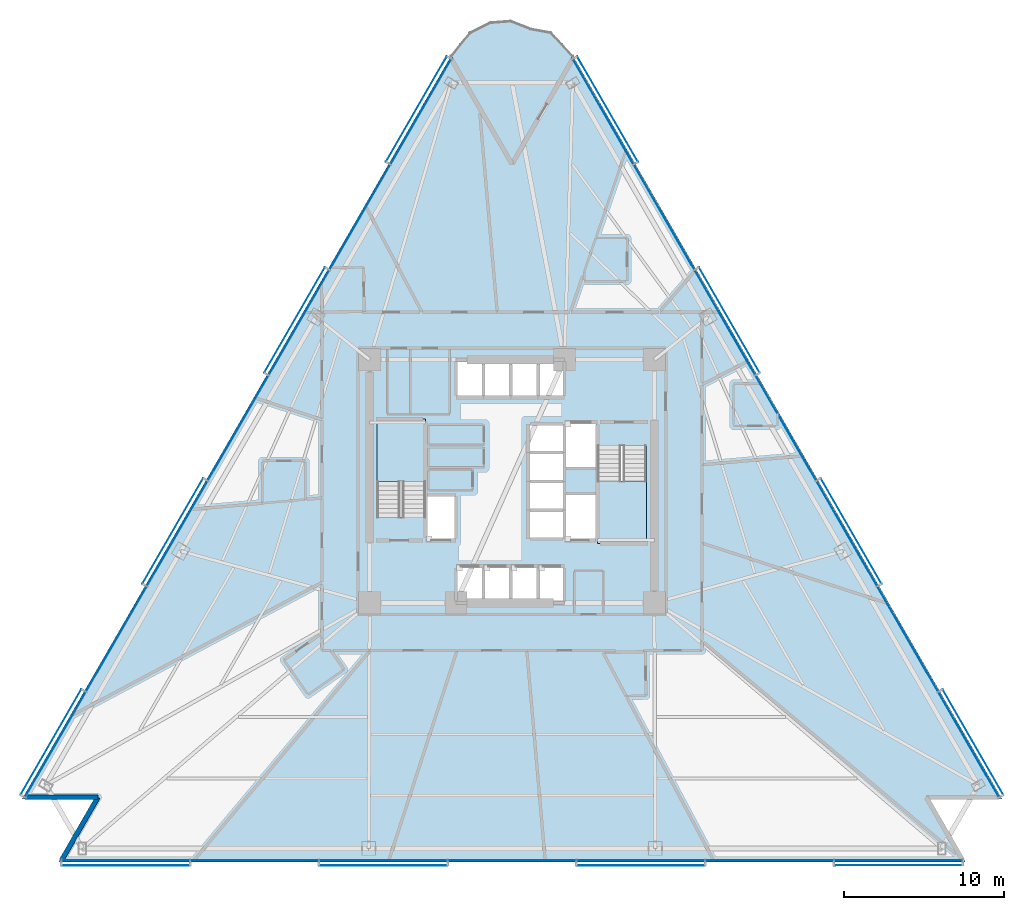
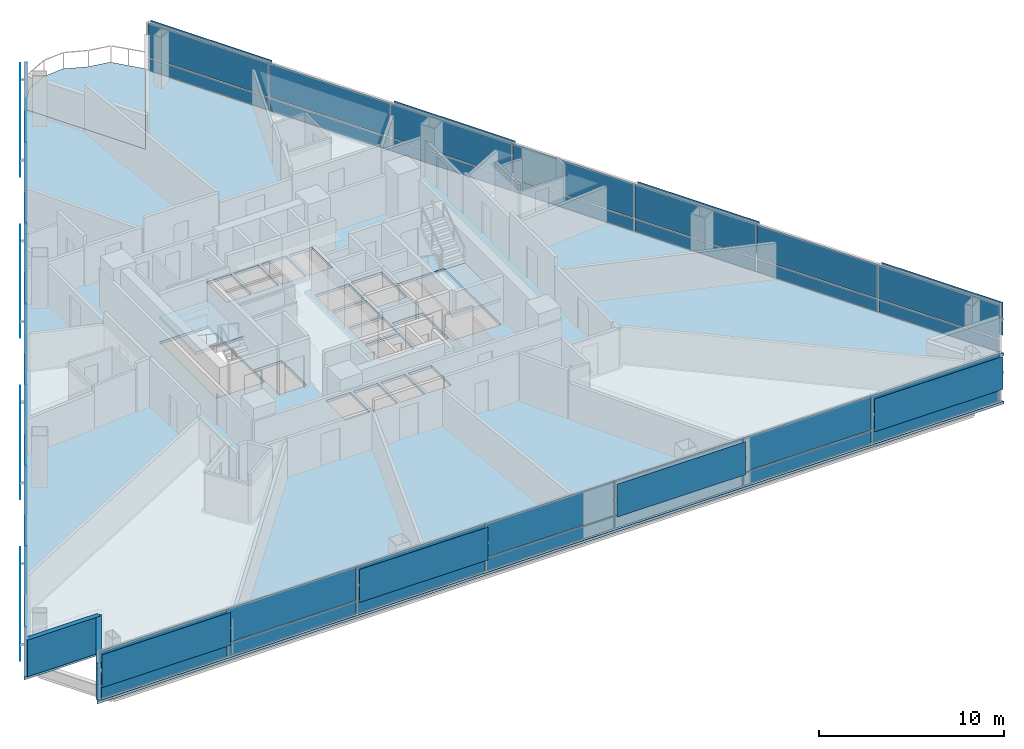
# One storey, part 6 of 18: 54 plates, 4 slabs, 2 walls, 5 elements without a shape of their own.
"""IFC4 building model written with IfcOpenShell, lengths in metres."""

from ifc_helpers import new_model, si_unit, direction, frame, frame_2d, origin, origin_2d, place, context, subcontext, project, spatial, polyline, rectangle, outline, extrude, material, layer, layer_set, type_object, element, aggregate, save


model = new_model("IFC4")

# Units and contexts
model_context = context("Model", 3, precision=1e-05, world=origin(), true_north=direction((0.0, 1.0)))
body_context = subcontext(model_context, "Body", "Model", "MODEL_VIEW")
ifc_project = project(units=[si_unit("LENGTHUNIT", "METRE"), si_unit("AREAUNIT", "SQUARE_METRE"), si_unit("VOLUMEUNIT", "CUBIC_METRE"), si_unit("PLANEANGLEUNIT", "RADIAN"), si_unit("MASSUNIT", "GRAM", prefix="KILO")], contexts=[model_context])

# Site, building, storey
site_placement = place(None, origin())
site = spatial("IfcSite", under=ifc_project, at=site_placement, CompositionType="ELEMENT")
building_placement = place(site_placement, origin())
building = spatial("IfcBuilding", under=site, at=building_placement, Name="Tharavind Bronze Gate", CompositionType="ELEMENT")
storey_placement = place(building_placement, frame((0.0, 0.0, 38.64990234375)))
storey = spatial("IfcBuildingStorey", under=building, at=storey_placement, Name="L08", CompositionType="ELEMENT", Elevation=38.64990234375)

# Plates
ifc_material_1 = material(Name="Perforated Bronze Alloy", Category="bronze")
ifc_layer_1 = layer(ifc_material_1, 0.011962890625)
ifc_layer_set_1 = layer_set([ifc_layer_1], Name="Perforated Bronze Alloy")
plate_type_1 = type_object("IfcPlateType", Name="BRONZE PERFORATED SOLAR SCREEN", PredefinedType="USERDEFINED", material=ifc_layer_set_1)
for number, where, z_axis, x_axis, name in (
    (1, (-5.976806640625, 23.27783203125, 0.97412109375), (0.0, 0.0, 1.0), (-0.500001511499, -0.866024531118, 0.0), "CW-L08-S1 perforated bronze solar screen 1"),
    (2, (-13.5927734375, 10.086669921875, 0.97412109375), (0.0, 0.0, 1.0), (-0.500001511499, -0.866024531118, 0.0), "CW-L08-S1 perforated bronze solar screen 3"),
    (3, (-21.208740234375, -3.1044921875, 0.97412109375), (0.0, 0.0, 1.0), (-0.500001511499, -0.866024531118, 0.0), "CW-L08-S1 perforated bronze solar screen 5"),
    (4, (-28.82470703125, -16.295654296875, 0.97412109375), (0.0, 0.0, 1.0), (-0.500001511499, -0.866024531118, 0.0), "CW-L08-S1 perforated bronze solar screen 7"),
):
    element("IfcPlate", number, at=place(storey_placement, frame(where, z_axis=z_axis, x_axis=x_axis)), inside=storey, type_object=plate_type_1, Name=name, ObjectType="SCREEN", PredefinedType="USERDEFINED", context=body_context, shape_type="SweptSolid", body=[
        extrude(rectangle(XDim=7.595947265625, YDim=0.011962890625, at=origin_2d()), origin(), (0.0, 0.0, 1.0), 2.177001953125),
    ])
for number, where, z_axis, x_axis, name in (
    (5, (-24.150634765625, -24.014892578125, 0.97412109375), (0.0, 0.0, 1.0), (1.0, 0.0, 0.0), "CW-L08-S2 perforated bronze solar screen 1"),
    (6, (-8.05029296875, -24.014892578125, 0.97412109375), (0.0, 0.0, 1.0), (1.0, 0.0, 0.0), "CW-L08-S2 perforated bronze solar screen 3"),
    (7, (8.05029296875, -24.014892578125, 0.97412109375), (0.0, 0.0, 1.0), (1.0, 0.0, 0.0), "CW-L08-S2 perforated bronze solar screen 5"),
    (8, (24.150634765625, -24.014892578125, 0.97412109375), (0.0, 0.0, 1.0), (1.0, 0.0, 0.0), "CW-L08-S2 perforated bronze solar screen 7"),
):
    element("IfcPlate", number, at=place(storey_placement, frame(where, z_axis=z_axis, x_axis=x_axis)), inside=storey, type_object=plate_type_1, Name=name, ObjectType="SCREEN", PredefinedType="USERDEFINED", context=body_context, shape_type="SweptSolid", body=[
        extrude(rectangle(XDim=8.0302734375, YDim=0.011962890625, at=origin_2d()), origin(), (0.0, 0.0, 1.0), 2.177001953125),
    ])
for number, where, z_axis, x_axis, name in (
    (9, (28.82470703125, -16.295654296875, 0.97412109375), (0.0, 0.0, 1.0), (-0.500001511499, 0.866024531118, 0.0), "CW-L08-S3 perforated bronze solar screen 1"),
    (10, (21.208740234375, -3.1044921875, 0.97412109375), (0.0, 0.0, 1.0), (-0.500001511499, 0.866024531118, 0.0), "CW-L08-S3 perforated bronze solar screen 3"),
    (11, (13.5927734375, 10.086669921875, 0.97412109375), (0.0, 0.0, 1.0), (-0.500001511499, 0.866024531118, 0.0), "CW-L08-S3 perforated bronze solar screen 5"),
    (12, (5.976806640625, 23.27783203125, 0.97412109375), (0.0, 0.0, 1.0), (-0.500001511499, 0.866024531118, 0.0), "CW-L08-S3 perforated bronze solar screen 7"),
):
    element("IfcPlate", number, at=place(storey_placement, frame(where, z_axis=z_axis, x_axis=x_axis)), inside=storey, type_object=plate_type_1, Name=name, ObjectType="SCREEN", PredefinedType="USERDEFINED", context=body_context, shape_type="SweptSolid", body=[
        extrude(rectangle(XDim=7.595947265625, YDim=0.011962890625, at=origin_2d()), origin(), (0.0, 0.0, 1.0), 2.177001953125),
    ])

# Curtain wall, plates
ifc_material_2 = material(Name="Anodised Bronze Aluminium", Category="aluminium")
ifc_layer_2 = layer(ifc_material_2, 0.219970703125)
ifc_layer_set_2 = layer_set([ifc_layer_2], Name="Anodised Bronze Aluminium")
curtain_wall_type = type_object("IfcCurtainWallType", Name="UNITISED CURTAIN WALL HOTEL", PredefinedType="USERDEFINED", material=ifc_layer_set_2)
curtain_wall_1_placement = place(storey_placement, origin())
curtain_wall_1 = element("IfcCurtainWall", 13, at=curtain_wall_1_placement, inside=storey, type_object=curtain_wall_type, Name="L08 unitised curtain wall hotel CW-L08-S1", ObjectType="UNITISED CURTAIN WALL", PredefinedType="USERDEFINED")
ifc_material_3 = material(Name="Patinated Bronze Alloy Sheet", Category="bronze")
ifc_layer_3 = layer(ifc_material_3, 0.01611328125)
ifc_layer_set_3 = layer_set([ifc_layer_3], Name="Patinated Bronze Alloy Sheet")
plate_type_2 = type_object("IfcPlateType", Name="BRONZE SPANDREL CLADDING PANEL 16", PredefinedType="CURTAIN_PANEL", material=ifc_layer_set_3)
plate_1_placement = place(storey_placement, frame((-5.7041015625, 23.120361328125, 0.0341796875), z_axis=(0.0, 0.0, 1.0), x_axis=(-0.500001511499, -0.866024531118, 0.0)))
plate_1 = element("IfcPlate", 14, at=plate_1_placement, type_object=plate_type_2, Name="CW-L08-S1 bronze spandrel panel 1", PredefinedType="CURTAIN_PANEL", context=body_context, shape_type="SweptSolid", body=[
    extrude(rectangle(XDim=7.5478515625, YDim=0.01611328125, at=origin_2d()), origin(), (0.0, 0.0, 1.0), 0.83203125),
])
plate_2_placement = place(storey_placement, frame((-9.511962890625, 16.52490234375, 0.0341796875), z_axis=(0.0, 0.0, 1.0), x_axis=(-0.500001511499, -0.866024531118, 0.0)))
plate_2 = element("IfcPlate", 15, at=plate_2_placement, type_object=plate_type_2, Name="CW-L08-S1 bronze spandrel panel 2", PredefinedType="CURTAIN_PANEL", context=body_context, shape_type="SweptSolid", body=[
    extrude(rectangle(XDim=7.5478515625, YDim=0.01611328125, at=origin_2d()), origin(), (0.0, 0.0, 1.0), 0.83203125),
])
plate_3_placement = place(storey_placement, frame((-13.31982421875, 9.92919921875, 0.0341796875), z_axis=(0.0, 0.0, 1.0), x_axis=(-0.500001511499, -0.866024531118, 0.0)))
plate_3 = element("IfcPlate", 16, at=plate_3_placement, type_object=plate_type_2, Name="CW-L08-S1 bronze spandrel panel 3", PredefinedType="CURTAIN_PANEL", context=body_context, shape_type="SweptSolid", body=[
    extrude(rectangle(XDim=7.5478515625, YDim=0.01611328125, at=origin_2d()), origin(), (0.0, 0.0, 1.0), 0.83203125),
])
plate_4_placement = place(storey_placement, frame((-17.1279296875, 3.33349609375, 0.0341796875), z_axis=(0.0, 0.0, 1.0), x_axis=(-0.500001511499, -0.866024531118, 0.0)))
plate_4 = element("IfcPlate", 17, at=plate_4_placement, type_object=plate_type_2, Name="CW-L08-S1 bronze spandrel panel 4", PredefinedType="CURTAIN_PANEL", context=body_context, shape_type="SweptSolid", body=[
    extrude(rectangle(XDim=7.5478515625, YDim=0.01611328125, at=origin_2d()), origin(), (0.0, 0.0, 1.0), 0.83203125),
])
plate_5_placement = place(storey_placement, frame((-20.935791015625, -3.261962890625, 0.0341796875), z_axis=(0.0, 0.0, 1.0), x_axis=(-0.500001511499, -0.866024531118, 0.0)))
plate_5 = element("IfcPlate", 18, at=plate_5_placement, type_object=plate_type_2, Name="CW-L08-S1 bronze spandrel panel 5", PredefinedType="CURTAIN_PANEL", context=body_context, shape_type="SweptSolid", body=[
    extrude(rectangle(XDim=7.5478515625, YDim=0.01611328125, at=origin_2d()), origin(), (0.0, 0.0, 1.0), 0.83203125),
])
plate_6_placement = place(storey_placement, frame((-24.743896484375, -9.857421875, 0.0341796875), z_axis=(0.0, 0.0, 1.0), x_axis=(-0.500001511499, -0.866024531118, 0.0)))
plate_6 = element("IfcPlate", 19, at=plate_6_placement, type_object=plate_type_2, Name="CW-L08-S1 bronze spandrel panel 6", PredefinedType="CURTAIN_PANEL", context=body_context, shape_type="SweptSolid", body=[
    extrude(rectangle(XDim=7.5478515625, YDim=0.01611328125, at=origin_2d()), origin(), (0.0, 0.0, 1.0), 0.83203125),
])
plate_7_placement = place(storey_placement, frame((-28.5517578125, -16.453125, 0.0341796875), z_axis=(0.0, 0.0, 1.0), x_axis=(-0.500001511499, -0.866024531118, 0.0)))
plate_7 = element("IfcPlate", 20, at=plate_7_placement, type_object=plate_type_2, Name="CW-L08-S1 bronze spandrel panel 7", PredefinedType="CURTAIN_PANEL", context=body_context, shape_type="SweptSolid", body=[
    extrude(rectangle(XDim=7.5478515625, YDim=0.01611328125, at=origin_2d()), origin(), (0.0, 0.0, 1.0), 0.83203125),
])

curtain_wall_2_placement = place(storey_placement, origin())
curtain_wall_2 = element("IfcCurtainWall", 21, at=curtain_wall_2_placement, inside=storey, type_object=curtain_wall_type, Name="L08 unitised curtain wall hotel CW-L08-S2", ObjectType="UNITISED CURTAIN WALL", PredefinedType="USERDEFINED")
plate_8_placement = place(storey_placement, frame((-24.150634765625, -23.699951171875, 0.0341796875), z_axis=(0.0, 0.0, 1.0), x_axis=(1.0, 0.0, 0.0)))
plate_8 = element("IfcPlate", 22, at=plate_8_placement, type_object=plate_type_2, Name="CW-L08-S2 bronze spandrel panel 1", PredefinedType="CURTAIN_PANEL", context=body_context, shape_type="SweptSolid", body=[
    extrude(rectangle(XDim=7.982177734375, YDim=0.01611328125, at=origin_2d()), origin(), (0.0, 0.0, 1.0), 0.83203125),
])
plate_9_placement = place(storey_placement, frame((-16.1005859375, -23.699951171875, 0.0341796875), z_axis=(0.0, 0.0, 1.0), x_axis=(1.0, 0.0, 0.0)))
plate_9 = element("IfcPlate", 23, at=plate_9_placement, type_object=plate_type_2, Name="CW-L08-S2 bronze spandrel panel 2", PredefinedType="CURTAIN_PANEL", context=body_context, shape_type="SweptSolid", body=[
    extrude(rectangle(XDim=7.982177734375, YDim=0.01611328125, at=origin_2d()), origin(), (0.0, 0.0, 1.0), 0.83203125),
])
plate_10_placement = place(storey_placement, frame((-8.05029296875, -23.699951171875, 0.0341796875), z_axis=(0.0, 0.0, 1.0), x_axis=(1.0, 0.0, 0.0)))
plate_10 = element("IfcPlate", 24, at=plate_10_placement, type_object=plate_type_2, Name="CW-L08-S2 bronze spandrel panel 3", PredefinedType="CURTAIN_PANEL", context=body_context, shape_type="SweptSolid", body=[
    extrude(rectangle(XDim=7.982177734375, YDim=0.01611328125, at=origin_2d()), origin(), (0.0, 0.0, 1.0), 0.83203125),
])
plate_11_placement = place(storey_placement, frame((0.0, -23.699951171875, 0.0341796875), z_axis=(0.0, 0.0, 1.0), x_axis=(1.0, 0.0, 0.0)))
plate_11 = element("IfcPlate", 25, at=plate_11_placement, type_object=plate_type_2, Name="CW-L08-S2 bronze spandrel panel 4", PredefinedType="CURTAIN_PANEL", context=body_context, shape_type="SweptSolid", body=[
    extrude(rectangle(XDim=7.982177734375, YDim=0.01611328125, at=origin_2d()), origin(), (0.0, 0.0, 1.0), 0.83203125),
])
plate_12_placement = place(storey_placement, frame((8.05029296875, -23.699951171875, 0.0341796875), z_axis=(0.0, 0.0, 1.0), x_axis=(1.0, 0.0, 0.0)))
plate_12 = element("IfcPlate", 26, at=plate_12_placement, type_object=plate_type_2, Name="CW-L08-S2 bronze spandrel panel 5", PredefinedType="CURTAIN_PANEL", context=body_context, shape_type="SweptSolid", body=[
    extrude(rectangle(XDim=7.982177734375, YDim=0.01611328125, at=origin_2d()), origin(), (0.0, 0.0, 1.0), 0.83203125),
])
plate_13_placement = place(storey_placement, frame((16.1005859375, -23.699951171875, 0.0341796875), z_axis=(0.0, 0.0, 1.0), x_axis=(1.0, 0.0, 0.0)))
plate_13 = element("IfcPlate", 27, at=plate_13_placement, type_object=plate_type_2, Name="CW-L08-S2 bronze spandrel panel 6", PredefinedType="CURTAIN_PANEL", context=body_context, shape_type="SweptSolid", body=[
    extrude(rectangle(XDim=7.982177734375, YDim=0.01611328125, at=origin_2d()), origin(), (0.0, 0.0, 1.0), 0.83203125),
])
plate_14_placement = place(storey_placement, frame((24.150634765625, -23.699951171875, 0.0341796875), z_axis=(0.0, 0.0, 1.0), x_axis=(1.0, 0.0, 0.0)))
plate_14 = element("IfcPlate", 28, at=plate_14_placement, type_object=plate_type_2, Name="CW-L08-S2 bronze spandrel panel 7", PredefinedType="CURTAIN_PANEL", context=body_context, shape_type="SweptSolid", body=[
    extrude(rectangle(XDim=7.982177734375, YDim=0.01611328125, at=origin_2d()), origin(), (0.0, 0.0, 1.0), 0.83203125),
])

curtain_wall_3_placement = place(storey_placement, origin())
curtain_wall_3 = element("IfcCurtainWall", 29, at=curtain_wall_3_placement, inside=storey, type_object=curtain_wall_type, Name="L08 unitised curtain wall hotel CW-L08-S3", ObjectType="UNITISED CURTAIN WALL", PredefinedType="USERDEFINED")
plate_15_placement = place(storey_placement, frame((28.5517578125, -16.453125, 0.0341796875), z_axis=(0.0, 0.0, 1.0), x_axis=(-0.500001511499, 0.866024531118, 0.0)))
plate_15 = element("IfcPlate", 30, at=plate_15_placement, type_object=plate_type_2, Name="CW-L08-S3 bronze spandrel panel 1", PredefinedType="CURTAIN_PANEL", context=body_context, shape_type="SweptSolid", body=[
    extrude(rectangle(XDim=7.5478515625, YDim=0.01611328125, at=origin_2d()), origin(), (0.0, 0.0, 1.0), 0.83203125),
])
plate_16_placement = place(storey_placement, frame((24.743896484375, -9.857421875, 0.0341796875), z_axis=(0.0, 0.0, 1.0), x_axis=(-0.500001511499, 0.866024531118, 0.0)))
plate_16 = element("IfcPlate", 31, at=plate_16_placement, type_object=plate_type_2, Name="CW-L08-S3 bronze spandrel panel 2", PredefinedType="CURTAIN_PANEL", context=body_context, shape_type="SweptSolid", body=[
    extrude(rectangle(XDim=7.5478515625, YDim=0.01611328125, at=origin_2d()), origin(), (0.0, 0.0, 1.0), 0.83203125),
])
plate_17_placement = place(storey_placement, frame((20.935791015625, -3.261962890625, 0.0341796875), z_axis=(0.0, 0.0, 1.0), x_axis=(-0.500001511499, 0.866024531118, 0.0)))
plate_17 = element("IfcPlate", 32, at=plate_17_placement, type_object=plate_type_2, Name="CW-L08-S3 bronze spandrel panel 3", PredefinedType="CURTAIN_PANEL", context=body_context, shape_type="SweptSolid", body=[
    extrude(rectangle(XDim=7.5478515625, YDim=0.01611328125, at=origin_2d()), origin(), (0.0, 0.0, 1.0), 0.83203125),
])
plate_18_placement = place(storey_placement, frame((17.1279296875, 3.33349609375, 0.0341796875), z_axis=(0.0, 0.0, 1.0), x_axis=(-0.500001511499, 0.866024531118, 0.0)))
plate_18 = element("IfcPlate", 33, at=plate_18_placement, type_object=plate_type_2, Name="CW-L08-S3 bronze spandrel panel 4", PredefinedType="CURTAIN_PANEL", context=body_context, shape_type="SweptSolid", body=[
    extrude(rectangle(XDim=7.5478515625, YDim=0.01611328125, at=origin_2d()), origin(), (0.0, 0.0, 1.0), 0.83203125),
])
plate_19_placement = place(storey_placement, frame((13.31982421875, 9.92919921875, 0.0341796875), z_axis=(0.0, 0.0, 1.0), x_axis=(-0.500001511499, 0.866024531118, 0.0)))
plate_19 = element("IfcPlate", 34, at=plate_19_placement, type_object=plate_type_2, Name="CW-L08-S3 bronze spandrel panel 5", PredefinedType="CURTAIN_PANEL", context=body_context, shape_type="SweptSolid", body=[
    extrude(rectangle(XDim=7.5478515625, YDim=0.01611328125, at=origin_2d()), origin(), (0.0, 0.0, 1.0), 0.83203125),
])
plate_20_placement = place(storey_placement, frame((9.511962890625, 16.52490234375, 0.0341796875), z_axis=(0.0, 0.0, 1.0), x_axis=(-0.500001511499, 0.866024531118, 0.0)))
plate_20 = element("IfcPlate", 35, at=plate_20_placement, type_object=plate_type_2, Name="CW-L08-S3 bronze spandrel panel 6", PredefinedType="CURTAIN_PANEL", context=body_context, shape_type="SweptSolid", body=[
    extrude(rectangle(XDim=7.5478515625, YDim=0.01611328125, at=origin_2d()), origin(), (0.0, 0.0, 1.0), 0.83203125),
])
plate_21_placement = place(storey_placement, frame((5.7041015625, 23.120361328125, 0.0341796875), z_axis=(0.0, 0.0, 1.0), x_axis=(-0.500001511499, 0.866024531118, 0.0)))
plate_21 = element("IfcPlate", 36, at=plate_21_placement, type_object=plate_type_2, Name="CW-L08-S3 bronze spandrel panel 7", PredefinedType="CURTAIN_PANEL", context=body_context, shape_type="SweptSolid", body=[
    extrude(rectangle(XDim=7.5478515625, YDim=0.01611328125, at=origin_2d()), origin(), (0.0, 0.0, 1.0), 0.83203125),
])

# Plate
ifc_material_4 = material(Name="Low-E Double Glazing", Category="glass")
ifc_layer_4 = layer(ifc_material_4, 0.031982421875)
ifc_layer_set_4 = layer_set([ifc_layer_4], Name="Low-E Double Glazing")
plate_type_3 = type_object("IfcPlateType", Name="DOUBLE GLAZED FACADE PANEL 32", PredefinedType="CURTAIN_PANEL", material=ifc_layer_set_4)
plate_22_placement = place(storey_placement, frame((-5.7041015625, 23.120361328125, 0.93408203125), z_axis=(0.0, 0.0, 1.0), x_axis=(-0.500001511499, -0.866024531118, 0.0)))
plate_22 = element("IfcPlate", 37, at=plate_22_placement, type_object=plate_type_3, Name="CW-L08-S1 vision glazing panel 1", PredefinedType="CURTAIN_PANEL", context=body_context, shape_type="SweptSolid", body=[
    extrude(rectangle(XDim=7.5478515625, YDim=0.031982421875, at=origin_2d()), origin(), (0.0, 0.0, 1.0), 2.257080078125),
])

plate_23_placement = place(storey_placement, frame((-9.511962890625, 16.52490234375, 0.93408203125), z_axis=(0.0, 0.0, 1.0), x_axis=(-0.500001511499, -0.866024531118, 0.0)))
plate_23 = element("IfcPlate", 38, at=plate_23_placement, type_object=plate_type_3, Name="CW-L08-S1 vision glazing panel 2", PredefinedType="CURTAIN_PANEL", context=body_context, shape_type="SweptSolid", body=[
    extrude(rectangle(XDim=7.5478515625, YDim=0.031982421875, at=origin_2d()), origin(), (0.0, 0.0, 1.0), 2.257080078125),
])

plate_24_placement = place(storey_placement, frame((-13.31982421875, 9.92919921875, 0.93408203125), z_axis=(0.0, 0.0, 1.0), x_axis=(-0.500001511499, -0.866024531118, 0.0)))
plate_24 = element("IfcPlate", 39, at=plate_24_placement, type_object=plate_type_3, Name="CW-L08-S1 vision glazing panel 3", PredefinedType="CURTAIN_PANEL", context=body_context, shape_type="SweptSolid", body=[
    extrude(rectangle(XDim=7.5478515625, YDim=0.031982421875, at=origin_2d()), origin(), (0.0, 0.0, 1.0), 2.257080078125),
])

plate_25_placement = place(storey_placement, frame((-17.1279296875, 3.33349609375, 0.93408203125), z_axis=(0.0, 0.0, 1.0), x_axis=(-0.500001511499, -0.866024531118, 0.0)))
plate_25 = element("IfcPlate", 40, at=plate_25_placement, type_object=plate_type_3, Name="CW-L08-S1 vision glazing panel 4", PredefinedType="CURTAIN_PANEL", context=body_context, shape_type="SweptSolid", body=[
    extrude(rectangle(XDim=7.5478515625, YDim=0.031982421875, at=origin_2d()), origin(), (0.0, 0.0, 1.0), 2.257080078125),
])

plate_26_placement = place(storey_placement, frame((-20.935791015625, -3.261962890625, 0.93408203125), z_axis=(0.0, 0.0, 1.0), x_axis=(-0.500001511499, -0.866024531118, 0.0)))
plate_26 = element("IfcPlate", 41, at=plate_26_placement, type_object=plate_type_3, Name="CW-L08-S1 vision glazing panel 5", PredefinedType="CURTAIN_PANEL", context=body_context, shape_type="SweptSolid", body=[
    extrude(rectangle(XDim=7.5478515625, YDim=0.031982421875, at=origin_2d()), origin(), (0.0, 0.0, 1.0), 2.257080078125),
])

plate_27_placement = place(storey_placement, frame((-24.743896484375, -9.857421875, 0.93408203125), z_axis=(0.0, 0.0, 1.0), x_axis=(-0.500001511499, -0.866024531118, 0.0)))
plate_27 = element("IfcPlate", 42, at=plate_27_placement, type_object=plate_type_3, Name="CW-L08-S1 vision glazing panel 6", PredefinedType="CURTAIN_PANEL", context=body_context, shape_type="SweptSolid", body=[
    extrude(rectangle(XDim=7.5478515625, YDim=0.031982421875, at=origin_2d()), origin(), (0.0, 0.0, 1.0), 2.257080078125),
])

plate_28_placement = place(storey_placement, frame((-28.5517578125, -16.453125, 0.93408203125), z_axis=(0.0, 0.0, 1.0), x_axis=(-0.500001511499, -0.866024531118, 0.0)))
plate_28 = element("IfcPlate", 43, at=plate_28_placement, type_object=plate_type_3, Name="CW-L08-S1 vision glazing panel 7", PredefinedType="CURTAIN_PANEL", context=body_context, shape_type="SweptSolid", body=[
    extrude(rectangle(XDim=7.5478515625, YDim=0.031982421875, at=origin_2d()), origin(), (0.0, 0.0, 1.0), 2.257080078125),
])

aggregate(curtain_wall_1, [plate_1, plate_22, plate_2, plate_23, plate_3, plate_24, plate_4, plate_25, plate_5, plate_26, plate_6, plate_27, plate_7, plate_28])

plate_29_placement = place(storey_placement, frame((-24.150634765625, -23.699951171875, 0.93408203125), z_axis=(0.0, 0.0, 1.0), x_axis=(1.0, 0.0, 0.0)))
plate_29 = element("IfcPlate", 44, at=plate_29_placement, type_object=plate_type_3, Name="CW-L08-S2 vision glazing panel 1", PredefinedType="CURTAIN_PANEL", context=body_context, shape_type="SweptSolid", body=[
    extrude(rectangle(XDim=7.982177734375, YDim=0.031982421875, at=origin_2d()), origin(), (0.0, 0.0, 1.0), 2.257080078125),
])

plate_30_placement = place(storey_placement, frame((-16.1005859375, -23.699951171875, 0.93408203125), z_axis=(0.0, 0.0, 1.0), x_axis=(1.0, 0.0, 0.0)))
plate_30 = element("IfcPlate", 45, at=plate_30_placement, type_object=plate_type_3, Name="CW-L08-S2 vision glazing panel 2", PredefinedType="CURTAIN_PANEL", context=body_context, shape_type="SweptSolid", body=[
    extrude(rectangle(XDim=7.982177734375, YDim=0.031982421875, at=origin_2d()), origin(), (0.0, 0.0, 1.0), 2.257080078125),
])

plate_31_placement = place(storey_placement, frame((-8.05029296875, -23.699951171875, 0.93408203125), z_axis=(0.0, 0.0, 1.0), x_axis=(1.0, 0.0, 0.0)))
plate_31 = element("IfcPlate", 46, at=plate_31_placement, type_object=plate_type_3, Name="CW-L08-S2 vision glazing panel 3", PredefinedType="CURTAIN_PANEL", context=body_context, shape_type="SweptSolid", body=[
    extrude(rectangle(XDim=7.982177734375, YDim=0.031982421875, at=origin_2d()), origin(), (0.0, 0.0, 1.0), 2.257080078125),
])

plate_32_placement = place(storey_placement, frame((0.0, -23.699951171875, 0.93408203125), z_axis=(0.0, 0.0, 1.0), x_axis=(1.0, 0.0, 0.0)))
plate_32 = element("IfcPlate", 47, at=plate_32_placement, type_object=plate_type_3, Name="CW-L08-S2 vision glazing panel 4", PredefinedType="CURTAIN_PANEL", context=body_context, shape_type="SweptSolid", body=[
    extrude(rectangle(XDim=7.982177734375, YDim=0.031982421875, at=origin_2d()), origin(), (0.0, 0.0, 1.0), 2.257080078125),
])

plate_33_placement = place(storey_placement, frame((8.05029296875, -23.699951171875, 0.93408203125), z_axis=(0.0, 0.0, 1.0), x_axis=(1.0, 0.0, 0.0)))
plate_33 = element("IfcPlate", 48, at=plate_33_placement, type_object=plate_type_3, Name="CW-L08-S2 vision glazing panel 5", PredefinedType="CURTAIN_PANEL", context=body_context, shape_type="SweptSolid", body=[
    extrude(rectangle(XDim=7.982177734375, YDim=0.031982421875, at=origin_2d()), origin(), (0.0, 0.0, 1.0), 2.257080078125),
])

plate_34_placement = place(storey_placement, frame((16.1005859375, -23.699951171875, 0.93408203125), z_axis=(0.0, 0.0, 1.0), x_axis=(1.0, 0.0, 0.0)))
plate_34 = element("IfcPlate", 49, at=plate_34_placement, type_object=plate_type_3, Name="CW-L08-S2 vision glazing panel 6", PredefinedType="CURTAIN_PANEL", context=body_context, shape_type="SweptSolid", body=[
    extrude(rectangle(XDim=7.982177734375, YDim=0.031982421875, at=origin_2d()), origin(), (0.0, 0.0, 1.0), 2.257080078125),
])

plate_35_placement = place(storey_placement, frame((24.150634765625, -23.699951171875, 0.93408203125), z_axis=(0.0, 0.0, 1.0), x_axis=(1.0, 0.0, 0.0)))
plate_35 = element("IfcPlate", 50, at=plate_35_placement, type_object=plate_type_3, Name="CW-L08-S2 vision glazing panel 7", PredefinedType="CURTAIN_PANEL", context=body_context, shape_type="SweptSolid", body=[
    extrude(rectangle(XDim=7.982177734375, YDim=0.031982421875, at=origin_2d()), origin(), (0.0, 0.0, 1.0), 2.257080078125),
])

aggregate(curtain_wall_2, [plate_8, plate_29, plate_9, plate_30, plate_10, plate_31, plate_11, plate_32, plate_12, plate_33, plate_13, plate_34, plate_14, plate_35])

plate_36_placement = place(storey_placement, frame((28.5517578125, -16.453125, 0.93408203125), z_axis=(0.0, 0.0, 1.0), x_axis=(-0.500001511499, 0.866024531118, 0.0)))
plate_36 = element("IfcPlate", 51, at=plate_36_placement, type_object=plate_type_3, Name="CW-L08-S3 vision glazing panel 1", PredefinedType="CURTAIN_PANEL", context=body_context, shape_type="SweptSolid", body=[
    extrude(rectangle(XDim=7.5478515625, YDim=0.031982421875, at=origin_2d()), origin(), (0.0, 0.0, 1.0), 2.257080078125),
])

plate_37_placement = place(storey_placement, frame((24.743896484375, -9.857421875, 0.93408203125), z_axis=(0.0, 0.0, 1.0), x_axis=(-0.500001511499, 0.866024531118, 0.0)))
plate_37 = element("IfcPlate", 52, at=plate_37_placement, type_object=plate_type_3, Name="CW-L08-S3 vision glazing panel 2", PredefinedType="CURTAIN_PANEL", context=body_context, shape_type="SweptSolid", body=[
    extrude(rectangle(XDim=7.5478515625, YDim=0.031982421875, at=origin_2d()), origin(), (0.0, 0.0, 1.0), 2.257080078125),
])

plate_38_placement = place(storey_placement, frame((20.935791015625, -3.261962890625, 0.93408203125), z_axis=(0.0, 0.0, 1.0), x_axis=(-0.500001511499, 0.866024531118, 0.0)))
plate_38 = element("IfcPlate", 53, at=plate_38_placement, type_object=plate_type_3, Name="CW-L08-S3 vision glazing panel 3", PredefinedType="CURTAIN_PANEL", context=body_context, shape_type="SweptSolid", body=[
    extrude(rectangle(XDim=7.5478515625, YDim=0.031982421875, at=origin_2d()), origin(), (0.0, 0.0, 1.0), 2.257080078125),
])

plate_39_placement = place(storey_placement, frame((17.1279296875, 3.33349609375, 0.93408203125), z_axis=(0.0, 0.0, 1.0), x_axis=(-0.500001511499, 0.866024531118, 0.0)))
plate_39 = element("IfcPlate", 54, at=plate_39_placement, type_object=plate_type_3, Name="CW-L08-S3 vision glazing panel 4", PredefinedType="CURTAIN_PANEL", context=body_context, shape_type="SweptSolid", body=[
    extrude(rectangle(XDim=7.5478515625, YDim=0.031982421875, at=origin_2d()), origin(), (0.0, 0.0, 1.0), 2.257080078125),
])

plate_40_placement = place(storey_placement, frame((13.31982421875, 9.92919921875, 0.93408203125), z_axis=(0.0, 0.0, 1.0), x_axis=(-0.500001511499, 0.866024531118, 0.0)))
plate_40 = element("IfcPlate", 55, at=plate_40_placement, type_object=plate_type_3, Name="CW-L08-S3 vision glazing panel 5", PredefinedType="CURTAIN_PANEL", context=body_context, shape_type="SweptSolid", body=[
    extrude(rectangle(XDim=7.5478515625, YDim=0.031982421875, at=origin_2d()), origin(), (0.0, 0.0, 1.0), 2.257080078125),
])

plate_41_placement = place(storey_placement, frame((9.511962890625, 16.52490234375, 0.93408203125), z_axis=(0.0, 0.0, 1.0), x_axis=(-0.500001511499, 0.866024531118, 0.0)))
plate_41 = element("IfcPlate", 56, at=plate_41_placement, type_object=plate_type_3, Name="CW-L08-S3 vision glazing panel 6", PredefinedType="CURTAIN_PANEL", context=body_context, shape_type="SweptSolid", body=[
    extrude(rectangle(XDim=7.5478515625, YDim=0.031982421875, at=origin_2d()), origin(), (0.0, 0.0, 1.0), 2.257080078125),
])

plate_42_placement = place(storey_placement, frame((5.7041015625, 23.120361328125, 0.93408203125), z_axis=(0.0, 0.0, 1.0), x_axis=(-0.500001511499, 0.866024531118, 0.0)))
plate_42 = element("IfcPlate", 57, at=plate_42_placement, type_object=plate_type_3, Name="CW-L08-S3 vision glazing panel 7", PredefinedType="CURTAIN_PANEL", context=body_context, shape_type="SweptSolid", body=[
    extrude(rectangle(XDim=7.5478515625, YDim=0.031982421875, at=origin_2d()), origin(), (0.0, 0.0, 1.0), 2.257080078125),
])

aggregate(curtain_wall_3, [plate_15, plate_36, plate_16, plate_37, plate_17, plate_38, plate_18, plate_39, plate_19, plate_40, plate_20, plate_41, plate_21, plate_42])

# Slab
ifc_material_5 = material(Name="Concrete C40/50", Category="concrete")
ifc_layer_5 = layer(ifc_material_5, 0.175048828125)
ifc_layer_set_5 = layer_set([ifc_layer_5], Name="Concrete C40/50")
slab_type_1 = type_object("IfcSlabType", Name="EXTERIOR BALCONY SLAB 175", PredefinedType="FLOOR", material=ifc_layer_set_5)
slab_1_placement = place(storey_placement, frame((0.0, 0.0, -0.1748046875)))
element("IfcSlab", 58, at=slab_1_placement, inside=storey, type_object=slab_type_1, Name="L08 northeast tree balcony slab", PredefinedType="FLOOR", context=body_context, shape_type="SweptSolid", body=[
    extrude(outline(polyline([(2.44384765625, 28.1181640625), (1.17724609375, 28.349609375), (-0.089599609375, 28.847900390625), (-1.356201171875, 28.7490234375), (-2.622802734375, 28.1181640625), (-3.800048828125, 26.6181640625), (0.0, 20.036376953125), (3.800048828125, 26.6181640625), (2.44384765625, 28.1181640625)])), origin(), (0.0, 0.0, 1.0), 0.1748046875),
])

# Stair, slab
stair_type = type_object("IfcStairType", Name="CORE HALF TURN STAIR 1450", PredefinedType="HALF_TURN_STAIR", material=ifc_material_5)
stair_1_placement = place(storey_placement, origin())
stair_1 = element("IfcStair", 59, at=stair_1_placement, inside=storey, type_object=stair_type, Name="L08 Protected Exit Stair ST1", PredefinedType="HALF_TURN_STAIR")
ifc_layer_6 = layer(ifc_material_5, 0.199951171875)
ifc_layer_set_6 = layer_set([ifc_layer_6], Name="Concrete C40/50")
slab_type_2 = type_object("IfcSlabType", Name="STAIR LANDING SLAB 200", PredefinedType="LANDING", material=ifc_layer_set_6)
slab_2_placement = place(storey_placement, frame((0.0, 0.0, 1.5)))
slab_2 = element("IfcSlab", 60, at=slab_2_placement, type_object=slab_type_2, Name="ST1 landing 1", PredefinedType="LANDING", context=body_context, shape_type="SweptSolid", body=[
    extrude(outline(polyline([(-5.39990234375, -0.010009765625), (-5.39990234375, 3.89990234375), (-8.449951171875, 3.89990234375), (-8.449951171875, -0.010009765625), (-5.39990234375, -0.010009765625)])), origin(), (0.0, 0.0, 1.0), 0.2001953125),
])
aggregate(stair_1, [slab_2])

stair_2_placement = place(storey_placement, origin())
stair_2 = element("IfcStair", 61, at=stair_2_placement, inside=storey, type_object=stair_type, Name="L08 Protected Exit Stair ST2", PredefinedType="HALF_TURN_STAIR")
slab_3_placement = place(storey_placement, frame((0.0, 0.0, 1.5)))
slab_3 = element("IfcSlab", 62, at=slab_3_placement, type_object=slab_type_2, Name="ST2 landing 1", PredefinedType="LANDING", context=body_context, shape_type="SweptSolid", body=[
    extrude(outline(polyline([(5.35009765625, 0.010009765625), (5.35009765625, -3.89990234375), (8.39990234375, -3.89990234375), (8.39990234375, 0.010009765625), (5.35009765625, 0.010009765625)])), origin(), (0.0, 0.0, 1.0), 0.2001953125),
])
aggregate(stair_2, [slab_3])

# Slab
ifc_layer_7 = layer(ifc_material_5, 0.175048828125)
ifc_layer_set_7 = layer_set([ifc_layer_7], Name="Concrete C40/50")
slab_type_3 = type_object("IfcSlabType", Name="STRUCTURAL FLOOR SLAB 175", PredefinedType="FLOOR", material=ifc_layer_set_7)
slab_4_placement = place(storey_placement, frame((0.0, 0.0, -0.1748046875)))
element("IfcSlab", 63, at=slab_4_placement, inside=storey, type_object=slab_type_3, Name="L08 main structural floor slab", PredefinedType="FLOOR", context=body_context, shape_type="SweptSolid", body=[
    extrude(outline(polyline([(3.800048828125, 26.6181640625), (0.0, 20.036376953125), (-3.800048828125, 26.6181640625), (-30.62890625, -19.850830078125), (-26.069091796875, -19.850830078125), (-28.34912109375, -23.800048828125), (28.34912109375, -23.800048828125), (26.069091796875, -19.850830078125), (30.62890625, -19.850830078125), (3.800048828125, 26.6181640625)]), holes=[polyline([(-5.39990234375, -2.215087890625), (-5.39990234375, 3.89990234375), (-8.449951171875, 3.89990234375), (-8.449951171875, -2.215087890625), (-5.39990234375, -2.215087890625)]), polyline([(5.35009765625, 2.215087890625), (5.35009765625, -3.89990234375), (8.39990234375, -3.89990234375), (8.39990234375, 2.215087890625), (5.35009765625, 2.215087890625)]), polyline([(-3.419921875, -7.52001953125), (-1.867431640625, -7.52001953125), (-1.867431640625, -5.3798828125), (-3.419921875, -5.3798828125), (-3.419921875, -7.52001953125)]), polyline([(-1.70751953125, -7.52001953125), (-0.155029296875, -7.52001953125), (-0.155029296875, -5.3798828125), (-1.70751953125, -5.3798828125), (-1.70751953125, -7.52001953125)]), polyline([(0.0048828125, -7.52001953125), (1.5576171875, -7.52001953125), (1.5576171875, -5.3798828125), (0.0048828125, -5.3798828125), (0.0048828125, -7.52001953125)]), polyline([(1.717529296875, -7.52001953125), (3.199951171875, -7.52001953125), (3.199951171875, -5.3798828125), (1.717529296875, -5.3798828125), (1.717529296875, -7.52001953125)]), polyline([(-3.419921875, 5.330078125), (-1.867431640625, 5.330078125), (-1.867431640625, 7.52001953125), (-3.419921875, 7.52001953125), (-3.419921875, 5.330078125)]), polyline([(-1.70751953125, 5.330078125), (-0.155029296875, 5.330078125), (-0.155029296875, 7.52001953125), (-1.70751953125, 7.52001953125), (-1.70751953125, 5.330078125)]), polyline([(0.0048828125, 5.330078125), (1.5576171875, 5.330078125), (1.5576171875, 7.52001953125), (0.0048828125, 7.52001953125), (0.0048828125, 5.330078125)]), polyline([(1.717529296875, 5.330078125), (3.199951171875, 5.330078125), (3.199951171875, 7.52001953125), (1.717529296875, 7.52001953125), (1.717529296875, 5.330078125)]), polyline([(1.080078125, -3.52001953125), (3.199951171875, -3.52001953125), (3.199951171875, -1.8798828125), (1.080078125, -1.8798828125), (1.080078125, -3.52001953125)]), polyline([(1.080078125, -1.719970703125), (3.199951171875, -1.719970703125), (3.199951171875, -0.080078125), (1.080078125, -0.080078125), (1.080078125, -1.719970703125)]), polyline([(1.080078125, 0.080078125), (3.199951171875, 0.080078125), (3.199951171875, 1.719970703125), (1.080078125, 1.719970703125), (1.080078125, 0.080078125)]), polyline([(1.080078125, 1.8798828125), (3.199951171875, 1.8798828125), (3.199951171875, 3.52001953125), (1.080078125, 3.52001953125), (1.080078125, 1.8798828125)]), polyline([(-5.320068359375, -3.6201171875), (-3.580078125, -3.6201171875), (-3.580078125, -0.929931640625), (-5.320068359375, -0.929931640625), (-5.320068359375, -3.6201171875)]), polyline([(3.360107421875, 0.8798828125), (5.27001953125, 0.8798828125), (5.27001953125, 3.6201171875), (3.360107421875, 3.6201171875), (3.360107421875, 0.8798828125)]), polyline([(3.360107421875, -3.6201171875), (5.27001953125, -3.6201171875), (5.27001953125, -0.830078125), (3.360107421875, -0.830078125), (3.360107421875, -3.6201171875)])]), origin(), (0.0, 0.0, 1.0), 0.1748046875),
])

# Walls
ifc_layer_8 = layer(ifc_material_5, 0.300048828125)
ifc_layer_set_8 = layer_set([ifc_layer_8], Name="Concrete C40/50")
wall_type = type_object("IfcWallType", Name="EXTERIOR SPANDREL WALL 300", PredefinedType="STANDARD", material=ifc_layer_set_8)
wall_1_placement = place(storey_placement, frame((-30.455810546875, -19.7509765625, 0.0), z_axis=(0.0, 0.0, 1.0), x_axis=(1.0, 0.0, 0.0)))
element("IfcWall", 64, at=wall_1_placement, inside=storey, type_object=wall_type, Name="L08 notch cheek wall 2A", PredefinedType="STANDARD", context=body_context, shape_type="SweptSolid", body=[
    extrude(rectangle(XDim=4.56005859375, YDim=0.300048828125, at=frame_2d((2.280029296875, 0.0))), origin(), (0.0, 0.0, 1.0), 2.420166015625),
])
wall_2_placement = place(storey_placement, frame((-25.895751953125, -19.7509765625, 0.0), z_axis=(0.0, 0.0, 1.0), x_axis=(-0.500014431597, -0.866017071537, 0.0)))
element("IfcWall", 65, at=wall_2_placement, inside=storey, type_object=wall_type, Name="L08 notch cheek wall 2B", PredefinedType="STANDARD", context=body_context, shape_type="SweptSolid", body=[
    extrude(rectangle(XDim=4.559814453125, YDim=0.300048828125, at=frame_2d((2.27978515625, 0.0))), origin(), (0.0, 0.0, 1.0), 2.420166015625),
])

save(model, "model.ifc")
